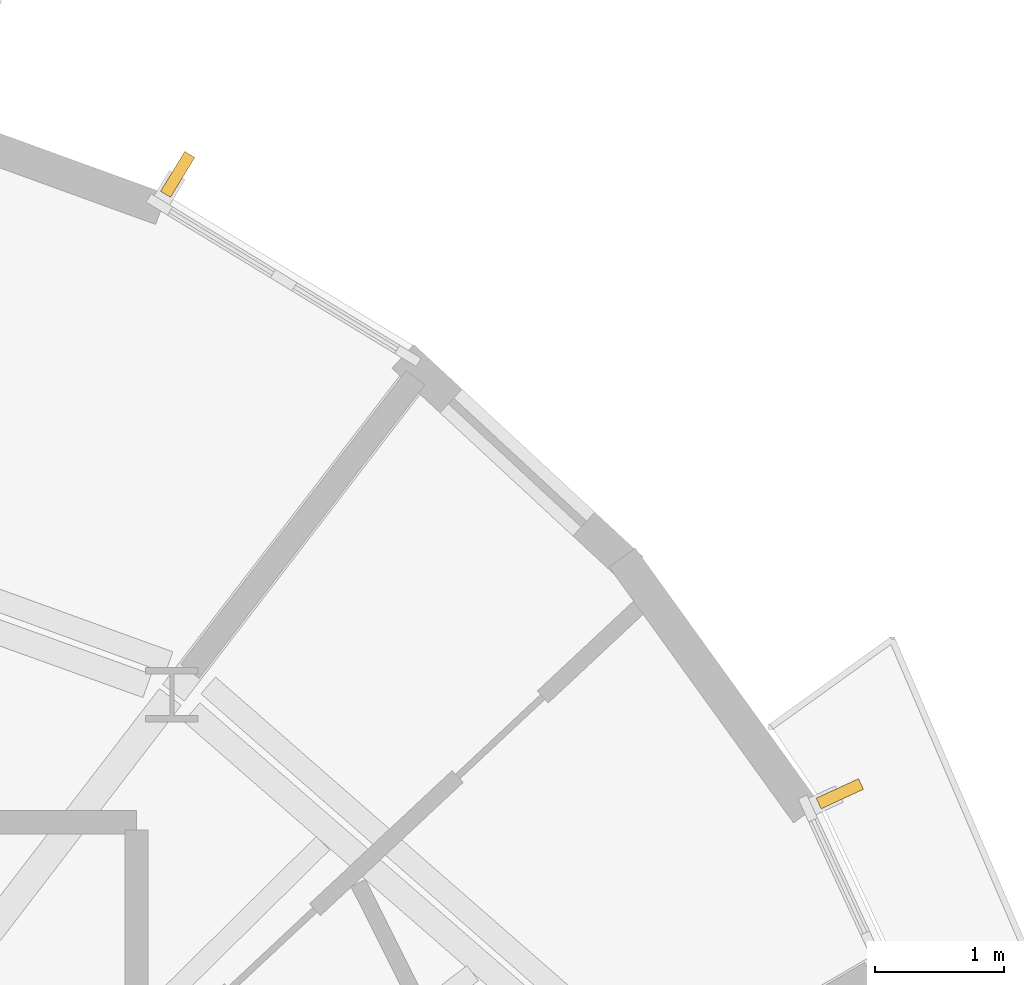
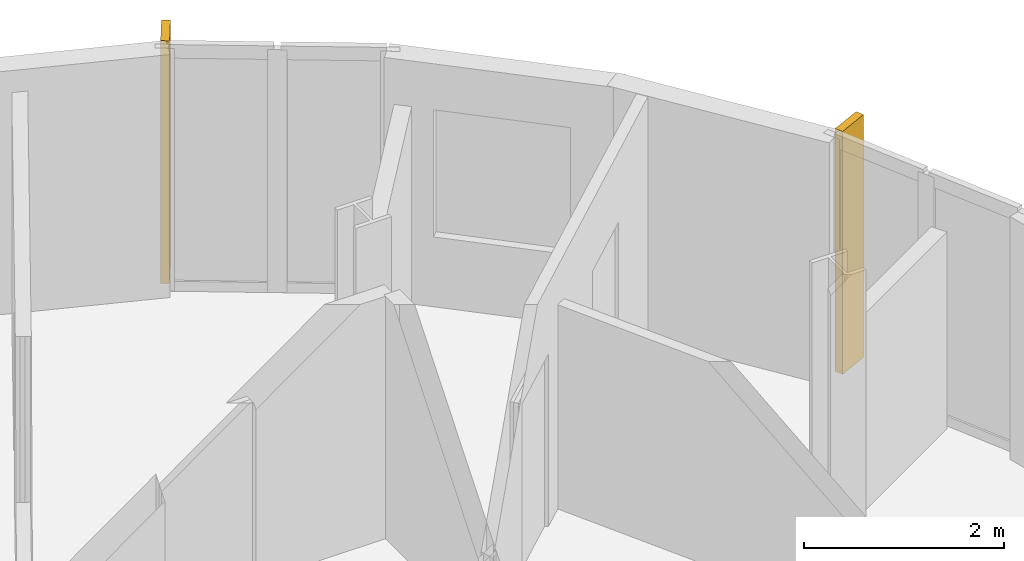
# One storey, part 11 of 11: 2 shading devices.
"""IFC4 building model written with IfcOpenShell, lengths in metres."""

from ifc_helpers import new_model, si_unit, direction, frame, origin, origin_2d, place, context, subcontext, project, spatial, rectangle, extrude, material, layer, layer_set, type_object, element, save


model = new_model("IFC4")

# Units and contexts
model_context = context("Model", 3, precision=1e-05, world=origin(), true_north=direction((0.0, 1.0)))
body_context = subcontext(model_context, "Body", "Model", "MODEL_VIEW")
ifc_project = project(units=[si_unit("LENGTHUNIT", "METRE"), si_unit("AREAUNIT", "SQUARE_METRE"), si_unit("VOLUMEUNIT", "CUBIC_METRE"), si_unit("PLANEANGLEUNIT", "RADIAN"), si_unit("MASSUNIT", "GRAM", prefix="KILO")], contexts=[model_context])

# Site, building, storey
site_placement = place(None, origin())
site = spatial("IfcSite", under=ifc_project, at=site_placement, CompositionType="ELEMENT")
building_placement = place(site_placement, origin())
building = spatial("IfcBuilding", under=site, at=building_placement, Name="Veldorim Arch Residences", CompositionType="ELEMENT")
storey_placement = place(building_placement, frame((0.0, 0.0, 214.239990234375)))
storey = spatial("IfcBuildingStorey", under=building, at=storey_placement, Name="L64", CompositionType="ELEMENT", Elevation=214.239990234375)

# Shading devices
ifc_material = material(Name="Terracotta Ceramic", Category="masonry")
ifc_layer = layer(ifc_material, 0.090087890625, Name="Vertical Extruded Terracotta Baguette Sun-Shading Fin")
ifc_layer_set = layer_set([ifc_layer], Name="Terracotta Ceramic")
shading_device_type = type_object("IfcShadingDeviceType", Name="Vertical Extruded Terracotta Baguette Sun-Shading Fin", PredefinedType="USERDEFINED", material=ifc_layer_set)
for number, where, z_axis, x_axis, name in (
    (1, (39.378173828125, 37.5673828125, 0.0), (0.0, 0.0, 1.0), (0.854186693447, -0.519966434242, 0.0), "L64 vertical terracotta sun-shading fin 01"),
    (2, (44.49560546875, 32.78076171875, 0.0), (0.0, 0.0, 1.0), (0.418025632026, -0.908435232127, 0.0), "L64 vertical terracotta sun-shading fin 34"),
):
    element("IfcShadingDevice", number, at=place(storey_placement, frame(where, z_axis=z_axis, x_axis=x_axis)), inside=storey, type_object=shading_device_type, Name=name, ObjectType="FIN", PredefinedType="USERDEFINED", context=body_context, shape_type="SweptSolid", body=[
        extrude(rectangle(XDim=0.090087890625, YDim=0.360107421875, at=origin_2d()), origin(), (0.0, 0.0, 1.0), 2.9599609375),
    ])

save(model, "model.ifc")
